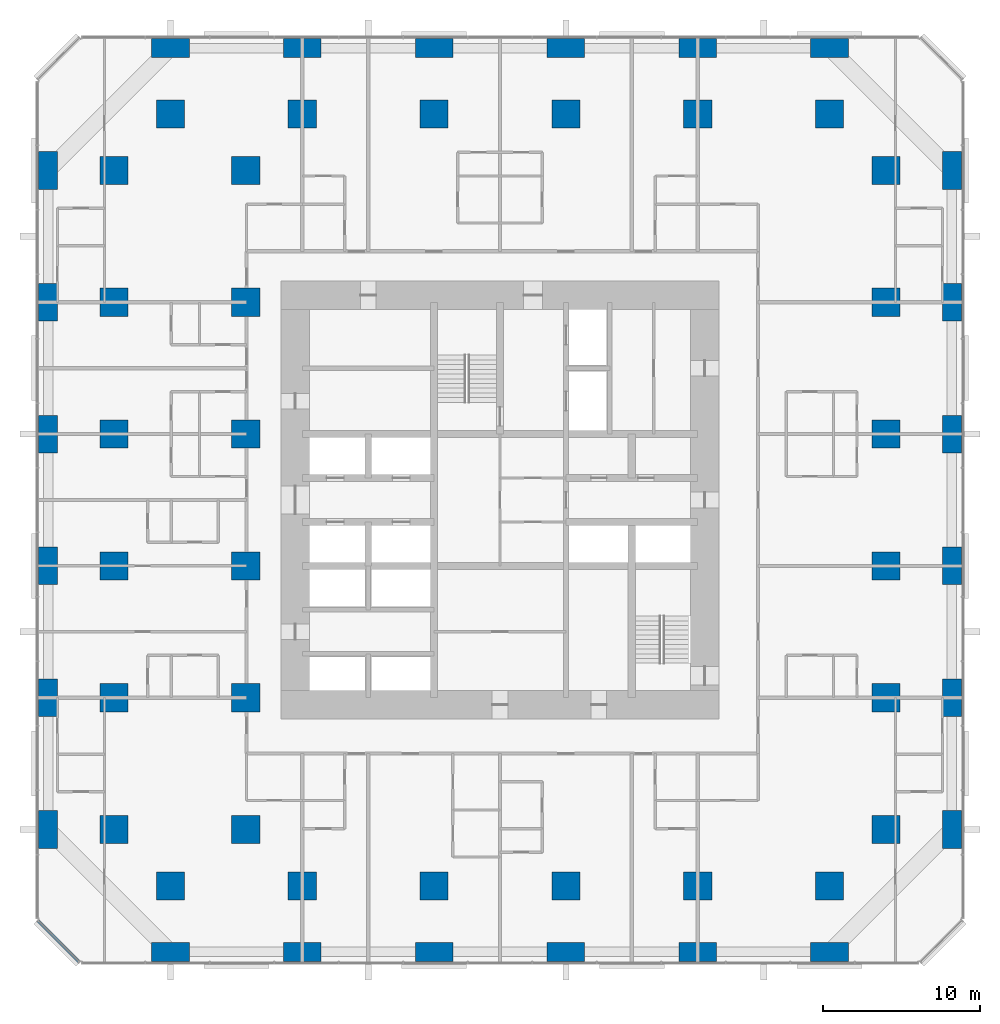
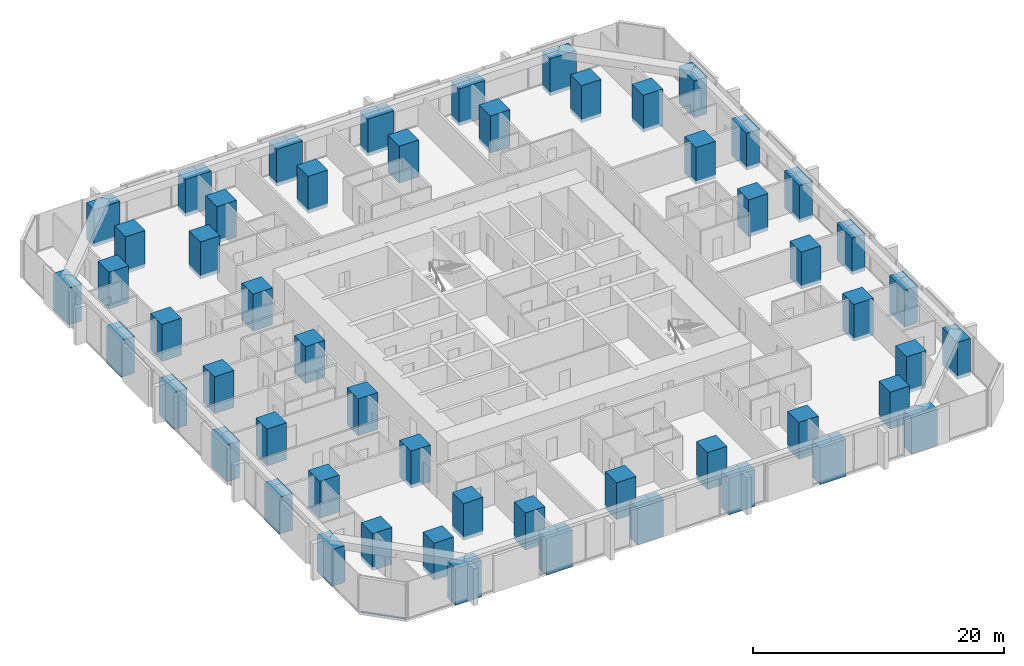
# One storey, part 1 of 17: 54 columns, 1 member, 1 element without a shape of its own.
"""IFC4 building model written with IfcOpenShell, lengths in metres."""

import ifcopenshell
import ifcopenshell.guid

model = None  # the IFC model being written
_history = None  # IfcOwnerHistory: only IFC2X3 demands one
_inside = {}  # id of a spatial element -> (the spatial element, [elements in it])
_under = {}  # id of a project, library or spatial element -> (it, [spatial elements below it])
_declared = {}  # id of a project -> (the project, [libraries it declares])
_typed = {}  # id of a type object -> (the type object, [elements of that type])
_made_of = {}  # id of a material, layer set ... -> (it, [elements and type objects made of it])


def new_model(schema):
    """Start an empty IFC model of exactly this schema.

    Asked for "IFC4X3", IfcOpenShell would pick the latest addendum, in which some entities
    have other attributes; the version numbers below select the first issue.
    IFC2X3 requires an IfcOwnerHistory on every rooted entity: one is made here for all.
    """
    global model, _history
    if schema == "IFC4X3":
        model = ifcopenshell.file(schema_version=(4, 3, 0, 0))
    else:
        model = ifcopenshell.file(schema=schema)
    _inside.clear()
    _under.clear()
    _declared.clear()
    _typed.clear()
    _made_of.clear()
    _history = None
    if model.schema == "IFC2X3":
        org = make("IfcOrganization", Name="unknown")
        user = make(
            "IfcPersonAndOrganization",
            ThePerson=make("IfcPerson", FamilyName="unknown"),
            TheOrganization=org,
        )
        app = make(
            "IfcApplication",
            ApplicationDeveloper=org,
            Version="unknown",
            ApplicationFullName="unknown",
            ApplicationIdentifier="unknown",
        )
        _history = make(
            "IfcOwnerHistory",
            OwningUser=user,
            OwningApplication=app,
            ChangeAction="ADDED",
            CreationDate=0,
        )
    return model


def make(cls, **values):
    """One entity of the class cls with the attributes given. An attribute that is None is left unset."""
    return model.create_entity(
        cls, **{name: value for name, value in values.items() if value is not None}
    )


def rooted(cls, **values):
    """An entity with a GlobalId (a new one), such as an element, a storey or a relation."""
    return make(cls, GlobalId=ifcopenshell.guid.new(), OwnerHistory=_history, **values)


def si_unit(unit_type, name, prefix=None):
    """IfcSIUnit, for example si_unit("LENGTHUNIT", "METRE", prefix="MILLI")."""
    return make("IfcSIUnit", UnitType=unit_type, Prefix=prefix, Name=name)


def assignment(units):
    """IfcUnitAssignment: the units of a project."""
    return None if units is None else make("IfcUnitAssignment", Units=units)


def point(xyz):
    """IfcCartesianPoint."""
    return None if xyz is None else make("IfcCartesianPoint", Coordinates=xyz)


def direction(xyz):
    """IfcDirection."""
    return None if xyz is None else make("IfcDirection", DirectionRatios=xyz)


def frame(location, z_axis=None, x_axis=None):
    """IfcAxis2Placement3D, a coordinate frame: its origin and axes. An axis left out is left unset."""
    return make(
        "IfcAxis2Placement3D",
        Location=point(location),
        Axis=direction(z_axis),
        RefDirection=direction(x_axis),
    )


def frame_2d(location, x_axis=None):
    """IfcAxis2Placement2D, a coordinate frame in the plane: its origin and x axis."""
    return make(
        "IfcAxis2Placement2D", Location=point(location), RefDirection=direction(x_axis)
    )


def origin():
    """The frame at (0, 0, 0) with its axes left unset."""
    return frame((0.0, 0.0, 0.0))


def origin_2d():
    """The frame at (0, 0) in the plane with its x axis left unset."""
    return frame_2d((0.0, 0.0))


def place(relative_to, where):
    """IfcLocalPlacement: puts the frame where relative to a parent placement (None: the world)."""
    return make(
        "IfcLocalPlacement", PlacementRelTo=relative_to, RelativePlacement=where
    )


def context(
    kind, dimensions, precision=None, world=None, true_north=None, identifier=None
):
    """IfcGeometricRepresentationContext, for example the 3D "Model" context."""
    return make(
        "IfcGeometricRepresentationContext",
        ContextIdentifier=identifier,
        ContextType=kind,
        CoordinateSpaceDimension=dimensions,
        Precision=precision,
        WorldCoordinateSystem=world,
        TrueNorth=true_north,
    )


def subcontext(parent, identifier, kind, view, scale=None):
    """IfcGeometricRepresentationSubContext, for example "Body" below "Model"."""
    return make(
        "IfcGeometricRepresentationSubContext",
        ContextIdentifier=identifier,
        ContextType=kind,
        ParentContext=parent,
        TargetScale=scale,
        TargetView=view,
    )


def project(units=None, contexts=None):
    """IfcProject with its units and contexts."""
    return rooted(
        "IfcProject",
        Name="project",
        RepresentationContexts=contexts,
        UnitsInContext=assignment(units),
    )


def spatial(cls, under=None, at=None, **own):
    """A site, building, storey or space (cls), placed at a placement, below another one or the project."""
    s = rooted(cls, ObjectPlacement=at, **own)
    if under is not None:
        _under.setdefault(under.id(), (under, []))[1].append(s)
    return s


def profile(cls, at=None, kind="AREA", **sizes):
    """A parametric profile (cls). Its sizes go by their IFC names, for example OverallWidth=200.0."""
    return make(cls, ProfileType=kind, Position=at, **sizes)


def rectangle(**sizes):
    """IfcRectangleProfileDef."""
    return profile("IfcRectangleProfileDef", **sizes)


def extrude(swept, where, along, depth):
    """IfcExtrudedAreaSolid: the profile swept, set in the frame where, extruded along a direction by depth."""
    return make(
        "IfcExtrudedAreaSolid",
        SweptArea=swept,
        Position=where,
        ExtrudedDirection=direction(along),
        Depth=depth,
    )


def shape(context_of_items, identifier, shape_type, items):
    """IfcShapeRepresentation: the items that make up one representation, for example the "Body"."""
    return make(
        "IfcShapeRepresentation",
        ContextOfItems=context_of_items,
        RepresentationIdentifier=identifier,
        RepresentationType=shape_type,
        Items=items,
    )


def material(Name=None, Category=None):
    """IfcMaterial."""
    return make("IfcMaterial", Name=Name, Category=Category)


def material_profile(
    of_material, cross_section, Name=None, Category=None, Priority=None
):
    """IfcMaterialProfile: a cross section and its material."""
    return make(
        "IfcMaterialProfile",
        Name=Name,
        Material=of_material,
        Profile=cross_section,
        Priority=Priority,
        Category=Category,
    )


def profile_set(profiles, Name=None, composite=None):
    """IfcMaterialProfileSet."""
    return make(
        "IfcMaterialProfileSet",
        Name=Name,
        MaterialProfiles=profiles,
        CompositeProfile=composite,
    )


def made_of(thing, what):
    """Note that an element or type object is made of a material, layer set ...; save() writes the relation."""
    if what is not None:
        _made_of.setdefault(what.id(), (what, []))[1].append(thing)
    return thing


def type_object(cls, material=None, **own):
    """A type object (cls), such as IfcWallType, which elements share."""
    return made_of(rooted(cls, **own), material)


def element(
    cls,
    number,
    at=None,
    inside=None,
    cuts=None,
    type_object=None,
    material=None,
    context=None,
    identifier="Body",
    shape_type=None,
    held_by="IfcProductDefinitionShape",
    body=None,
    shapes=None,
    **own,
):
    """One element of the class cls, such as IfcWall. Its Tag is "e" and its number.

    at: its placement. inside: the storey or other place that contains it. cuts: it is an
    opening in that element (IfcRelVoidsElement). A single representation is given by context,
    identifier, shape_type and body (its items); several are given by shapes. held_by: the class
    of the entity that holds the representations. save() writes the other relations.
    """
    e = rooted(cls, Tag="e%d" % number, ObjectPlacement=at, **own)
    if body is not None:
        shapes = [shape(context, identifier, shape_type, body)]
    if shapes is not None:
        e.Representation = make(held_by, Representations=shapes)
    if inside is not None:
        _inside.setdefault(inside.id(), (inside, []))[1].append(e)
    if cuts is not None:
        rooted(
            "IfcRelVoidsElement", RelatingBuildingElement=cuts, RelatedOpeningElement=e
        )
    if type_object is not None:
        _typed.setdefault(type_object.id(), (type_object, []))[1].append(e)
    return made_of(e, material)


def aggregate(whole, parts):
    """IfcRelAggregates: a whole, such as a stair, and the parts it consists of."""
    return rooted("IfcRelAggregates", RelatingObject=whole, RelatedObjects=parts)


def save(model, path):
    """Write the relations noted so far, then the file.

    IfcRelAggregates (storeys below a building ...), IfcRelContainedInSpatialStructure (elements
    in a storey), IfcRelDefinesByType, IfcRelAssociatesMaterial and IfcRelDeclares: one each for
    every whole, place, type object, material and project.
    """
    for whole, parts in _under.values():
        aggregate(whole, parts)
    for where, things in _inside.values():
        rooted(
            "IfcRelContainedInSpatialStructure",
            RelatedElements=things,
            RelatingStructure=where,
        )
    for kind, things in _typed.values():
        rooted("IfcRelDefinesByType", RelatedObjects=things, RelatingType=kind)
    for what, things in _made_of.values():
        rooted("IfcRelAssociatesMaterial", RelatedObjects=things, RelatingMaterial=what)
    for by, libraries in _declared.values():
        rooted("IfcRelDeclares", RelatingContext=by, RelatedDefinitions=libraries)
    model.write(path)


model = new_model("IFC4")

# Units and contexts
model_context = context("Model", 3, precision=1e-05, world=origin(), true_north=direction((0.0, 1.0)))
body_context = subcontext(model_context, "Body", "Model", "MODEL_VIEW")
ifc_project = project(units=[si_unit("LENGTHUNIT", "METRE"), si_unit("AREAUNIT", "SQUARE_METRE"), si_unit("VOLUMEUNIT", "CUBIC_METRE"), si_unit("PLANEANGLEUNIT", "RADIAN"), si_unit("MASSUNIT", "GRAM", prefix="KILO")], contexts=[model_context])

# Site, building, storey
site_placement = place(None, origin())
site = spatial("IfcSite", under=ifc_project, at=site_placement, CompositionType="ELEMENT")
building_placement = place(site_placement, origin())
building = spatial("IfcBuilding", under=site, at=building_placement, Name="Dunama Terrace Hotel", CompositionType="ELEMENT")
storey_placement = place(building_placement, frame((0.0, 0.0, 34.199951171875)))
storey = spatial("IfcBuildingStorey", under=building, at=storey_placement, Name="L07", CompositionType="ELEMENT", Elevation=34.199951171875)

# Columns
ifc_material_1 = material(Name="Concrete C60/75", Category="concrete")
ifc_material_profile_1 = material_profile(ifc_material_1, rectangle(XDim=1.199951171875, YDim=2.39990234375, at=origin_2d()), Name="RC 1200x2400")
ifc_profile_set_1 = profile_set([ifc_material_profile_1], Name="Concrete C60/75")
column_type_1 = type_object("IfcColumnType", Name="Column RC 1200x2400", PredefinedType="COLUMN", material=ifc_profile_set_1)
for number, where, z_axis, x_axis, name in (
    (1, (0.60009765625, 8.39990234375, -0.349853515625), (0.0, 0.0, 1.0), (1.0, 0.0, 0.0), "Column L07 +0.6/+8.4"),
    (2, (0.60009765625, 16.800048828125, -0.349853515625), (0.0, 0.0, 1.0), (1.0, 0.0, 0.0), "Column L07 +0.6/+16.8"),
    (3, (0.60009765625, 25.199951171875, -0.349853515625), (0.0, 0.0, 1.0), (1.0, 0.0, 0.0), "Column L07 +0.6/+25.2"),
    (4, (0.60009765625, 33.60009765625, -0.349853515625), (0.0, 0.0, 1.0), (1.0, 0.0, 0.0), "Column L07 +0.6/+33.6"),
    (5, (0.60009765625, 42.0, -0.349853515625), (0.0, 0.0, 1.0), (1.0, 0.0, 0.0), "Column L07 +0.6/+42.0"),
    (6, (0.60009765625, 50.39990234375, -0.349853515625), (0.0, 0.0, 1.0), (1.0, 0.0, 0.0), "Column L07 +0.6/+50.4"),
    (7, (58.199951171875, 8.39990234375, -0.349853515625), (0.0, 0.0, 1.0), (1.0, 0.0, 0.0), "Column L07 +58.2/+8.4"),
    (8, (58.199951171875, 16.800048828125, -0.349853515625), (0.0, 0.0, 1.0), (1.0, 0.0, 0.0), "Column L07 +58.2/+16.8"),
    (9, (58.199951171875, 25.199951171875, -0.349853515625), (0.0, 0.0, 1.0), (1.0, 0.0, 0.0), "Column L07 +58.2/+25.2"),
    (10, (58.199951171875, 33.60009765625, -0.349853515625), (0.0, 0.0, 1.0), (1.0, 0.0, 0.0), "Column L07 +58.2/+33.6"),
    (11, (58.199951171875, 42.0, -0.349853515625), (0.0, 0.0, 1.0), (1.0, 0.0, 0.0), "Column L07 +58.2/+42.0"),
    (12, (58.199951171875, 50.39990234375, -0.349853515625), (0.0, 0.0, 1.0), (1.0, 0.0, 0.0), "Column L07 +58.2/+50.4"),
):
    element("IfcColumn", number, at=place(storey_placement, frame(where, z_axis=z_axis, x_axis=x_axis)), inside=storey, type_object=column_type_1, Name=name, PredefinedType="COLUMN", context=body_context, shape_type="SweptSolid", body=[
        extrude(rectangle(XDim=1.199951171875, YDim=2.39990234375, at=origin_2d()), origin(), (0.0, 0.0, 1.0), 3.599853515625),
    ])
ifc_material_2 = material(Name="Concrete C60/75", Category="concrete")
ifc_material_profile_2 = material_profile(ifc_material_2, rectangle(XDim=1.800048828125, YDim=1.800048828125, at=origin_2d()), Name="RC 1800x1800")
ifc_profile_set_2 = profile_set([ifc_material_profile_2], Name="Concrete C60/75")
column_type_2 = type_object("IfcColumnType", Name="Column RC 1800x1800", PredefinedType="COLUMN", material=ifc_profile_set_2)
for number, where, z_axis, x_axis, name in (
    (13, (4.800048828125, 8.39990234375, -0.349853515625), (0.0, 0.0, 1.0), (1.0, 0.0, 0.0), "Column L07 +4.8/+8.4"),
    (14, (4.800048828125, 16.800048828125, -0.349853515625), (0.0, 0.0, 1.0), (1.0, 0.0, 0.0), "Column L07 +4.8/+16.8"),
    (15, (4.800048828125, 25.199951171875, -0.349853515625), (0.0, 0.0, 1.0), (1.0, 0.0, 0.0), "Column L07 +4.8/+25.2"),
    (16, (4.800048828125, 33.60009765625, -0.349853515625), (0.0, 0.0, 1.0), (1.0, 0.0, 0.0), "Column L07 +4.8/+33.6"),
    (17, (4.800048828125, 42.0, -0.349853515625), (0.0, 0.0, 1.0), (1.0, 0.0, 0.0), "Column L07 +4.8/+42.0"),
    (18, (4.800048828125, 50.39990234375, -0.349853515625), (0.0, 0.0, 1.0), (1.0, 0.0, 0.0), "Column L07 +4.8/+50.4"),
    (19, (8.39990234375, 4.800048828125, -0.349853515625), (0.0, 0.0, 1.0), (1.0, 0.0, 0.0), "Column L07 +8.4/+4.8"),
    (20, (8.39990234375, 54.0, -0.349853515625), (0.0, 0.0, 1.0), (1.0, 0.0, 0.0), "Column L07 +8.4/+54.0"),
    (21, (13.199951171875, 8.39990234375, -0.349853515625), (0.0, 0.0, 1.0), (1.0, 0.0, 0.0), "Column L07 +13.2/+8.4"),
    (22, (13.199951171875, 16.800048828125, -0.349853515625), (0.0, 0.0, 1.0), (1.0, 0.0, 0.0), "Column L07 +13.2/+16.8"),
    (23, (13.199951171875, 25.199951171875, -0.349853515625), (0.0, 0.0, 1.0), (1.0, 0.0, 0.0), "Column L07 +13.2/+25.2"),
    (24, (13.199951171875, 33.60009765625, -0.349853515625), (0.0, 0.0, 1.0), (1.0, 0.0, 0.0), "Column L07 +13.2/+33.6"),
    (25, (13.199951171875, 42.0, -0.349853515625), (0.0, 0.0, 1.0), (1.0, 0.0, 0.0), "Column L07 +13.2/+42.0"),
    (26, (13.199951171875, 50.39990234375, -0.349853515625), (0.0, 0.0, 1.0), (1.0, 0.0, 0.0), "Column L07 +13.2/+50.4"),
    (27, (16.800048828125, 4.800048828125, -0.349853515625), (0.0, 0.0, 1.0), (1.0, 0.0, 0.0), "Column L07 +16.8/+4.8"),
    (28, (16.800048828125, 54.0, -0.349853515625), (0.0, 0.0, 1.0), (1.0, 0.0, 0.0), "Column L07 +16.8/+54.0"),
    (29, (25.199951171875, 4.800048828125, -0.349853515625), (0.0, 0.0, 1.0), (1.0, 0.0, 0.0), "Column L07 +25.2/+4.8"),
    (30, (25.199951171875, 54.0, -0.349853515625), (0.0, 0.0, 1.0), (1.0, 0.0, 0.0), "Column L07 +25.2/+54.0"),
    (31, (33.60009765625, 4.800048828125, -0.349853515625), (0.0, 0.0, 1.0), (1.0, 0.0, 0.0), "Column L07 +33.6/+4.8"),
    (32, (33.60009765625, 54.0, -0.349853515625), (0.0, 0.0, 1.0), (1.0, 0.0, 0.0), "Column L07 +33.6/+54.0"),
    (33, (42.0, 4.800048828125, -0.349853515625), (0.0, 0.0, 1.0), (1.0, 0.0, 0.0), "Column L07 +42.0/+4.8"),
    (34, (42.0, 54.0, -0.349853515625), (0.0, 0.0, 1.0), (1.0, 0.0, 0.0), "Column L07 +42.0/+54.0"),
    (35, (50.39990234375, 4.800048828125, -0.349853515625), (0.0, 0.0, 1.0), (1.0, 0.0, 0.0), "Column L07 +50.4/+4.8"),
    (36, (50.39990234375, 54.0, -0.349853515625), (0.0, 0.0, 1.0), (1.0, 0.0, 0.0), "Column L07 +50.4/+54.0"),
    (37, (54.0, 8.39990234375, -0.349853515625), (0.0, 0.0, 1.0), (1.0, 0.0, 0.0), "Column L07 +54.0/+8.4"),
    (38, (54.0, 16.800048828125, -0.349853515625), (0.0, 0.0, 1.0), (1.0, 0.0, 0.0), "Column L07 +54.0/+16.8"),
    (39, (54.0, 25.199951171875, -0.349853515625), (0.0, 0.0, 1.0), (1.0, 0.0, 0.0), "Column L07 +54.0/+25.2"),
    (40, (54.0, 33.60009765625, -0.349853515625), (0.0, 0.0, 1.0), (1.0, 0.0, 0.0), "Column L07 +54.0/+33.6"),
    (41, (54.0, 42.0, -0.349853515625), (0.0, 0.0, 1.0), (1.0, 0.0, 0.0), "Column L07 +54.0/+42.0"),
    (42, (54.0, 50.39990234375, -0.349853515625), (0.0, 0.0, 1.0), (1.0, 0.0, 0.0), "Column L07 +54.0/+50.4"),
):
    element("IfcColumn", number, at=place(storey_placement, frame(where, z_axis=z_axis, x_axis=x_axis)), inside=storey, type_object=column_type_2, Name=name, PredefinedType="COLUMN", context=body_context, shape_type="SweptSolid", body=[
        extrude(rectangle(XDim=1.800048828125, YDim=1.800048828125, at=origin_2d()), origin(), (0.0, 0.0, 1.0), 3.599853515625),
    ])
ifc_material_3 = material(Name="Concrete C60/75", Category="concrete")
ifc_material_profile_3 = material_profile(ifc_material_3, rectangle(XDim=2.39990234375, YDim=1.199951171875, at=origin_2d()), Name="RC 2400x1200")
ifc_profile_set_3 = profile_set([ifc_material_profile_3], Name="Concrete C60/75")
column_type_3 = type_object("IfcColumnType", Name="Column RC 2400x1200", PredefinedType="COLUMN", material=ifc_profile_set_3)
for number, where, z_axis, x_axis, name in (
    (43, (8.39990234375, 0.60009765625, -0.349853515625), (0.0, 0.0, 1.0), (1.0, 0.0, 0.0), "Column L07 +8.4/+0.6"),
    (44, (8.39990234375, 58.199951171875, -0.349853515625), (0.0, 0.0, 1.0), (1.0, 0.0, 0.0), "Column L07 +8.4/+58.2"),
    (45, (16.800048828125, 0.60009765625, -0.349853515625), (0.0, 0.0, 1.0), (1.0, 0.0, 0.0), "Column L07 +16.8/+0.6"),
    (46, (16.800048828125, 58.199951171875, -0.349853515625), (0.0, 0.0, 1.0), (1.0, 0.0, 0.0), "Column L07 +16.8/+58.2"),
    (47, (25.199951171875, 0.60009765625, -0.349853515625), (0.0, 0.0, 1.0), (1.0, 0.0, 0.0), "Column L07 +25.2/+0.6"),
    (48, (25.199951171875, 58.199951171875, -0.349853515625), (0.0, 0.0, 1.0), (1.0, 0.0, 0.0), "Column L07 +25.2/+58.2"),
    (49, (33.60009765625, 0.60009765625, -0.349853515625), (0.0, 0.0, 1.0), (1.0, 0.0, 0.0), "Column L07 +33.6/+0.6"),
    (50, (33.60009765625, 58.199951171875, -0.349853515625), (0.0, 0.0, 1.0), (1.0, 0.0, 0.0), "Column L07 +33.6/+58.2"),
    (51, (42.0, 0.60009765625, -0.349853515625), (0.0, 0.0, 1.0), (1.0, 0.0, 0.0), "Column L07 +42.0/+0.6"),
    (52, (42.0, 58.199951171875, -0.349853515625), (0.0, 0.0, 1.0), (1.0, 0.0, 0.0), "Column L07 +42.0/+58.2"),
    (53, (50.39990234375, 0.60009765625, -0.349853515625), (0.0, 0.0, 1.0), (1.0, 0.0, 0.0), "Column L07 +50.4/+0.6"),
    (54, (50.39990234375, 58.199951171875, -0.349853515625), (0.0, 0.0, 1.0), (1.0, 0.0, 0.0), "Column L07 +50.4/+58.2"),
):
    element("IfcColumn", number, at=place(storey_placement, frame(where, z_axis=z_axis, x_axis=x_axis)), inside=storey, type_object=column_type_3, Name=name, PredefinedType="COLUMN", context=body_context, shape_type="SweptSolid", body=[
        extrude(rectangle(XDim=2.39990234375, YDim=1.199951171875, at=origin_2d()), origin(), (0.0, 0.0, 1.0), 3.599853515625),
    ])

# Curtain wall, member
ifc_material_4 = material(Name="Aluminium curtain wall system", Category="aluminium")
curtain_wall_type = type_object("IfcCurtainWallType", Name="Unitised fritted glass wall CW-A", PredefinedType="NOTDEFINED", material=ifc_material_4)
curtain_wall_placement = place(storey_placement, origin())
curtain_wall = element("IfcCurtainWall", 55, at=curtain_wall_placement, inside=storey, type_object=curtain_wall_type, Name="Unitised fritted glass wall CW-A L07", PredefinedType="NOTDEFINED")
ifc_material_5 = material(Name="Aluminium transom", Category="aluminium")
ifc_material_profile_4 = material_profile(ifc_material_5, rectangle(XDim=0.179931640625, YDim=0.074951171875, at=origin_2d()), Name="CWA TRANSOM 180X75")
ifc_profile_set_4 = profile_set([ifc_material_profile_4], Name="Aluminium transom")
member_type = type_object("IfcMemberType", Name="CWA transom 180x75", PredefinedType="USERDEFINED", material=ifc_profile_set_4)
member_placement = place(storey_placement, frame((-0.02490234375, 2.5830078125, 0.03759765625), z_axis=(0.707106781187, -0.707106781187, 0.0), x_axis=(0.707106781187, 0.707106781187, 0.0)))
member = element("IfcMember", 56, at=member_placement, type_object=member_type, Name="CWA transom", ObjectType="TRANSOM", PredefinedType="USERDEFINED", context=body_context, shape_type="SweptSolid", body=[
    extrude(rectangle(XDim=0.179931640625, YDim=0.074951171875, at=origin_2d()), origin(), (0.0, 0.0, 1.0), 3.688232421875),
])
aggregate(curtain_wall, [member])

save(model, "model.ifc")
